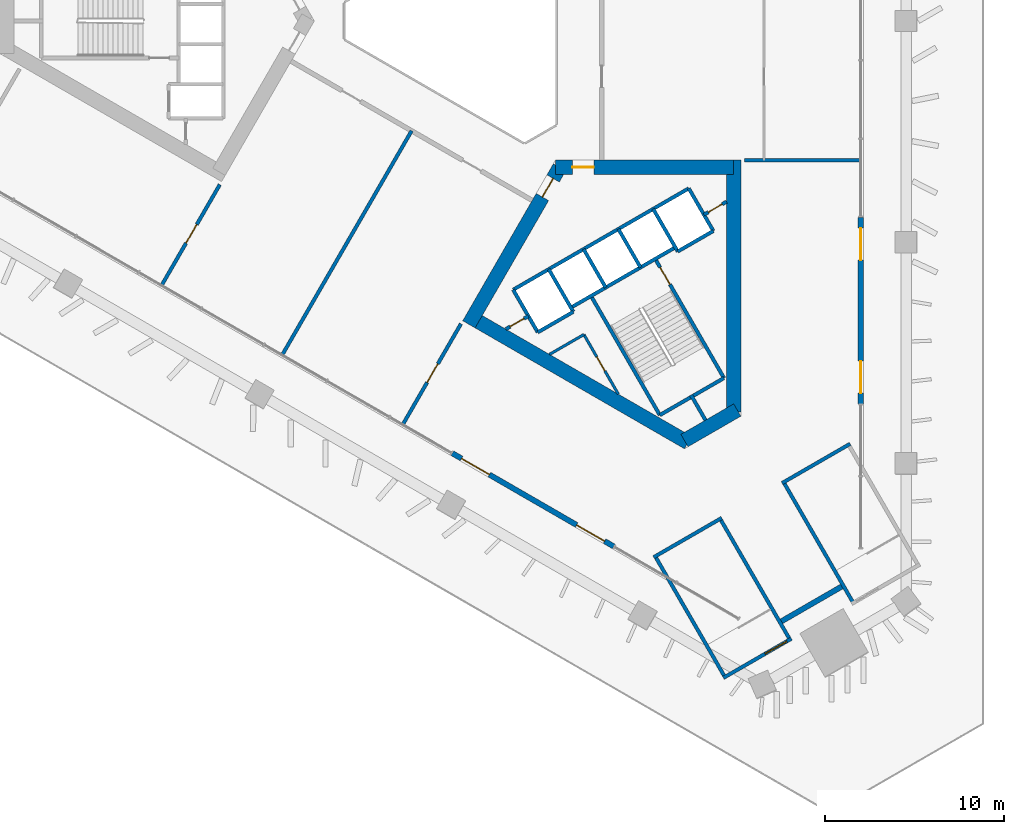
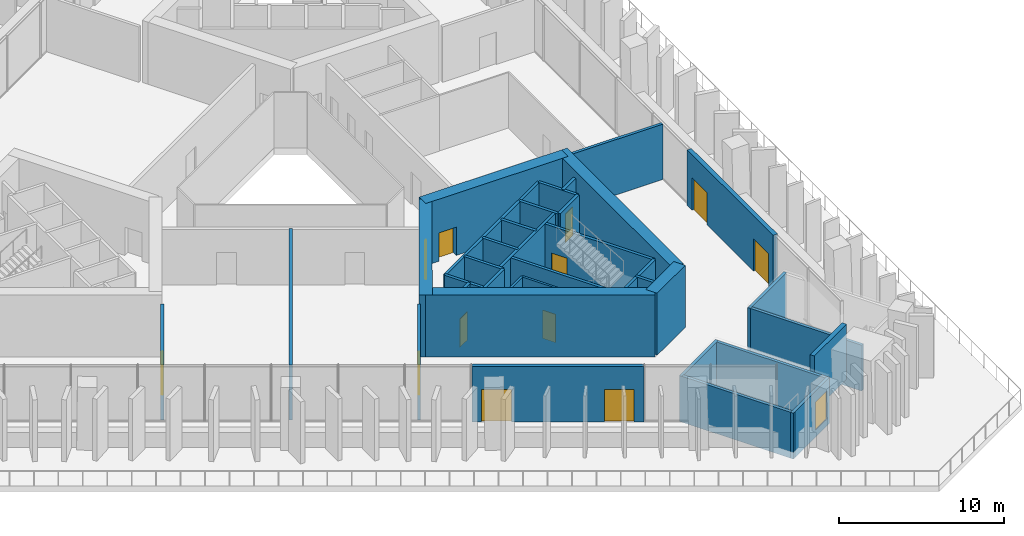
# One storey, part 16 of 31: 36 walls, 13 doors, 13 openings.
"""IFC4 building model written with IfcOpenShell, lengths in metres."""

from ifc_helpers import new_model, si_unit, direction, frame, frame_2d, origin, place, context, subcontext, project, spatial, rectangle, extrude, material, layer, layer_set, type_object, element, fill, save


model = new_model("IFC4")

# Units and contexts
model_context = context("Model", 3, precision=1e-05, world=origin(), true_north=direction((0.0, 1.0)))
body_context = subcontext(model_context, "Body", "Model", "MODEL_VIEW")
ifc_project = project(units=[si_unit("LENGTHUNIT", "METRE"), si_unit("AREAUNIT", "SQUARE_METRE"), si_unit("VOLUMEUNIT", "CUBIC_METRE"), si_unit("PLANEANGLEUNIT", "RADIAN"), si_unit("MASSUNIT", "GRAM", prefix="KILO")], contexts=[model_context])

# Site, building, storey
site_placement = place(None, origin())
site = spatial("IfcSite", under=ifc_project, at=site_placement, CompositionType="ELEMENT")
building_placement = place(site_placement, origin())
building = spatial("IfcBuilding", under=site, at=building_placement, Name="Jabali Bay Hotel Tower and Convention Centre", CompositionType="ELEMENT")
storey_placement = place(building_placement, frame((0.0, 0.0, 25.39990234375)))
storey = spatial("IfcBuildingStorey", under=building, at=storey_placement, Name="L04", CompositionType="ELEMENT", Elevation=25.39990234375)

# Wall
ifc_material_1 = material(Name="Concrete C40", Category="concrete")
ifc_layer_1 = layer(ifc_material_1, 0.199951171875)
ifc_layer_set_1 = layer_set([ifc_layer_1], Name="Concrete C40")
wall_type_1 = type_object("IfcWallType", Name="Core partition wall 200", PredefinedType="PARTITIONING", material=ifc_layer_set_1)
wall_1_placement = place(storey_placement, frame((87.090087890625, 59.0595703125, 0.0), z_axis=(0.0, 0.0, 1.0), x_axis=(0.499956811548, -0.866050337213, 0.0)))
element("IfcWall", 1, at=wall_1_placement, inside=storey, type_object=wall_type_1, Name="Core wall 2.5 L04", PredefinedType="PARTITIONING", context=body_context, shape_type="SweptSolid", body=[
    extrude(rectangle(XDim=1.623291015625, YDim=0.199951171875, at=frame_2d((0.8115234375, 0.0))), origin(), (0.0, 0.0, 1.0), 4.10009765625),
])

# Wall, opening, door
wall_2_placement = place(storey_placement, frame((76.719970703125, 62.748779296875, 0.0), z_axis=(0.0, 0.0, 1.0), x_axis=(0.866054810376, 0.49994906283, 0.0)))
wall_2 = element("IfcWall", 2, at=wall_2_placement, inside=storey, type_object=wall_type_1, Name="Core wall 2.11 L04", PredefinedType="PARTITIONING", context=body_context, shape_type="SweptSolid", body=[
    extrude(rectangle(XDim=1.461181640625, YDim=0.199951171875, at=frame_2d((0.73046875, 0.0))), origin(), (0.0, 0.0, 1.0), 4.10009765625),
])
opening_1_placement = place(wall_2_placement, frame((0.280517578125, 0.0, 0.0)))
opening_1 = element("IfcOpeningElement", 3, at=opening_1_placement, cuts=wall_2, Name="Opening D195", PredefinedType="OPENING", context=body_context, shape_type="SweptSolid", body=[
    extrude(rectangle(XDim=0.89990234375, YDim=2.10009765625, at=frame_2d((0.449951171875, 1.050048828125))), frame((0.0, 0.1103515625, 0.0), z_axis=(0.0, -1.0, 0.0), x_axis=(1.0, 0.0, 0.0)), (0.0, 0.0, 1.0), 0.220947265625),
])
ifc_material_2 = material(Name="Fire-rated steel door", Category="steel")
door_type_1 = type_object("IfcDoorType", Name="Vestibule fire door 900 x 2100", OperationType="NOTDEFINED", PredefinedType="NOTDEFINED", material=ifc_material_2)
door_1_placement = place(opening_1_placement, origin())
door_1 = element("IfcDoor", 4, at=door_1_placement, inside=storey, type_object=door_type_1, Name="Vestibule fire door D195", OperationType="SINGLE_SWING_LEFT", OverallHeight=2.10009765625, OverallWidth=0.89990234375, PredefinedType="NOTDEFINED", context=body_context, shape_type="SweptSolid", body=[
    extrude(rectangle(XDim=0.89990234375, YDim=2.10009765625, at=frame_2d((0.449951171875, 1.050048828125))), frame((0.0, 0.02490234375, 0.0), z_axis=(0.0, -1.0, 0.0), x_axis=(1.0, 0.0, 0.0)), (0.0, 0.0, 1.0), 0.050048828125),
])
fill(opening_1, door_1)

wall_3_placement = place(storey_placement, frame((87.814697265625, 69.154296875, 0.0), z_axis=(0.0, 0.0, 1.0), x_axis=(0.866054810376, 0.49994906283, 0.0)))
wall_3 = element("IfcWall", 5, at=wall_3_placement, inside=storey, type_object=wall_type_1, Name="Core wall 2.12 L04", PredefinedType="PARTITIONING", context=body_context, shape_type="SweptSolid", body=[
    extrude(rectangle(XDim=1.461181640625, YDim=0.199951171875, at=frame_2d((0.73046875, 0.0))), origin(), (0.0, 0.0, 1.0), 4.10009765625),
])
opening_2_placement = place(wall_3_placement, frame((0.280517578125, 0.0, 0.0)))
opening_2 = element("IfcOpeningElement", 6, at=opening_2_placement, cuts=wall_3, Name="Opening D194", PredefinedType="OPENING", context=body_context, shape_type="SweptSolid", body=[
    extrude(rectangle(XDim=0.89990234375, YDim=2.10009765625, at=frame_2d((0.449951171875, 1.050048828125))), frame((0.0, 0.1103515625, 0.0), z_axis=(0.0, -1.0, 0.0), x_axis=(1.0, 0.0, 0.0)), (0.0, 0.0, 1.0), 0.220947265625),
])
door_2_placement = place(opening_2_placement, origin())
door_2 = element("IfcDoor", 7, at=door_2_placement, inside=storey, type_object=door_type_1, Name="Vestibule fire door D194", OperationType="SINGLE_SWING_LEFT", OverallHeight=2.10009765625, OverallWidth=0.89990234375, PredefinedType="NOTDEFINED", context=body_context, shape_type="SweptSolid", body=[
    extrude(rectangle(XDim=0.89990234375, YDim=2.10009765625, at=frame_2d((0.449951171875, 1.050048828125))), frame((0.0, 0.02490234375, 0.0), z_axis=(0.0, -1.0, 0.0), x_axis=(1.0, 0.0, 0.0)), (0.0, 0.0, 1.0), 0.050048828125),
])
fill(opening_2, door_2)

ifc_material_3 = material(Name="Fire-rated board partition")
ifc_layer_2 = layer(ifc_material_3, 0.14990234375)
ifc_layer_set_2 = layer_set([ifc_layer_2], Name="Fire-rated board partition")
wall_type_2 = type_object("IfcWallType", Name="Core room partition 150", PredefinedType="PARTITIONING", material=ifc_layer_set_2)
wall_4_placement = place(storey_placement, frame((81.093994140625, 62.445068359375, 0.0), z_axis=(0.0, 0.0, 1.0), x_axis=(0.499987921047, -0.866032377459, 0.0)))
wall_4 = element("IfcWall", 8, at=wall_4_placement, inside=storey, type_object=wall_type_2, Name="Core wall 2.1 L04", PredefinedType="PARTITIONING", context=body_context, shape_type="SweptSolid", body=[
    extrude(rectangle(XDim=3.84765625, YDim=0.14990234375, at=frame_2d((1.923828125, 0.0))), origin(), (0.0, 0.0, 1.0), 4.10009765625),
])
opening_3_placement = place(wall_4_placement, frame((1.446533203125, 0.0, 0.0)))
opening_3 = element("IfcOpeningElement", 9, at=opening_3_placement, cuts=wall_4, Name="Opening D197", PredefinedType="OPENING", context=body_context, shape_type="SweptSolid", body=[
    extrude(rectangle(XDim=0.89990234375, YDim=2.10009765625, at=frame_2d((0.449951171875, 1.050048828125))), frame((0.0, 0.08544921875, 0.0), z_axis=(0.0, -1.0, 0.0), x_axis=(1.0, 0.0, 0.0)), (0.0, 0.0, 1.0), 0.1708984375),
])
door_type_2 = type_object("IfcDoorType", Name="Core room door 900 x 2100", OperationType="NOTDEFINED", PredefinedType="NOTDEFINED", material=ifc_material_2)
door_3_placement = place(opening_3_placement, origin())
door_3 = element("IfcDoor", 10, at=door_3_placement, inside=storey, type_object=door_type_2, Name="Core room door D197", OperationType="SINGLE_SWING_LEFT", OverallHeight=2.10009765625, OverallWidth=0.89990234375, PredefinedType="NOTDEFINED", context=body_context, shape_type="SweptSolid", body=[
    extrude(rectangle(XDim=0.89990234375, YDim=2.10009765625, at=frame_2d((0.449951171875, 1.050048828125))), frame((0.0, 0.02490234375, 0.0), z_axis=(0.0, -1.0, 0.0), x_axis=(1.0, 0.0, 0.0)), (0.0, 0.0, 1.0), 0.050048828125),
])
fill(opening_3, door_3)

# Walls
wall_5_placement = place(storey_placement, frame((79.169921875, 61.334228515625, 0.0), z_axis=(0.0, 0.0, 1.0), x_axis=(0.866030041738, 0.499991966744, 0.0)))
element("IfcWall", 11, at=wall_5_placement, inside=storey, type_object=wall_type_2, Name="Core wall 2.16 L04", PredefinedType="PARTITIONING", context=body_context, shape_type="SweptSolid", body=[
    extrude(rectangle(XDim=2.2216796875, YDim=0.14990234375, at=frame_2d((1.11083984375, 0.0))), origin(), (0.0, 0.0, 1.0), 4.10009765625),
])
ifc_layer_3 = layer(ifc_material_1, 0.199951171875)
ifc_layer_set_3 = layer_set([ifc_layer_3], Name="Concrete C40")
wall_type_3 = type_object("IfcWallType", Name="Core stair wall 200", PredefinedType="SOLIDWALL", material=ifc_layer_set_3)
for number, where, z_axis, x_axis, name in (
    (12, (77.13525390625, 64.95166015625, 0.0), (0.0, 0.0, 1.0), (0.499996545922, -0.866027397988, 0.0), "Core wall 2.0 L04"),
    (13, (79.127197265625, 66.1015625, 0.0), (0.0, 0.0, 1.0), (0.499996545922, -0.866027397988, 0.0), "Core wall 2.2 L04"),
):
    element("IfcWall", number, at=place(storey_placement, frame(where, z_axis=z_axis, x_axis=x_axis)), inside=storey, type_object=wall_type_3, Name=name, PredefinedType="SOLIDWALL", context=body_context, shape_type="SweptSolid", body=[
        extrude(rectangle(XDim=2.75, YDim=0.199951171875, at=frame_2d((1.375, 0.0))), origin(), (0.0, 0.0, 1.0), 4.10009765625),
    ])
wall_6_placement = place(storey_placement, frame((81.492919921875, 64.603759765625, 0.0), z_axis=(0.0, 0.0, 1.0), x_axis=(0.500006057782, -0.866021906294, 0.0)))
element("IfcWall", 14, at=wall_6_placement, inside=storey, type_object=wall_type_3, Name="Core wall 2.3 L04", PredefinedType="SOLIDWALL", context=body_context, shape_type="SweptSolid", body=[
    extrude(rectangle(XDim=7.7001953125, YDim=0.199951171875, at=frame_2d((3.85009765625, 0.0))), origin(), (0.0, 0.0, 1.0), 4.10009765625),
])
for number, where, z_axis, x_axis, name in (
    (15, (81.07568359375, 67.2265625, 0.0), (0.0, 0.0, 1.0), (0.50000366821, -0.866023285932, 0.0), "Core wall 2.4 L04"),
    (16, (83.024169921875, 68.3515625, 0.0), (0.0, 0.0, 1.0), (0.50000366821, -0.866023285932, 0.0), "Core wall 2.6 L04"),
):
    element("IfcWall", number, at=place(storey_placement, frame(where, z_axis=z_axis, x_axis=x_axis)), inside=storey, type_object=wall_type_3, Name=name, PredefinedType="SOLIDWALL", context=body_context, shape_type="SweptSolid", body=[
        extrude(rectangle(XDim=2.47998046875, YDim=0.199951171875, at=frame_2d((1.239990234375, 0.0))), origin(), (0.0, 0.0, 1.0), 4.10009765625),
    ])

# Wall, opening, door
wall_7_placement = place(storey_placement, frame((85.0869140625, 66.6787109375, 0.0), z_axis=(0.0, 0.0, 1.0), x_axis=(0.500019787375, -0.866013979237, 0.0)))
wall_7 = element("IfcWall", 17, at=wall_7_placement, inside=storey, type_object=wall_type_3, Name="Core wall 2.7 L04", PredefinedType="SOLIDWALL", context=body_context, shape_type="SweptSolid", body=[
    extrude(rectangle(XDim=7.699951171875, YDim=0.199951171875, at=frame_2d((3.85009765625, 0.0))), origin(), (0.0, 0.0, 1.0), 4.10009765625),
])
opening_4_placement = place(wall_7_placement, frame((0.550048828125, 0.0, 0.0)))
opening_4 = element("IfcOpeningElement", 18, at=opening_4_placement, cuts=wall_7, Name="Opening D196", PredefinedType="OPENING", context=body_context, shape_type="SweptSolid", body=[
    extrude(rectangle(XDim=1.10009765625, YDim=2.10009765625, at=frame_2d((0.550048828125, 1.050048828125))), frame((0.0, 0.1103515625, 0.0), z_axis=(0.0, -1.0, 0.0), x_axis=(1.0, 0.0, 0.0)), (0.0, 0.0, 1.0), 0.220947265625),
])
door_type_3 = type_object("IfcDoorType", Name="Stair fire door 1100 x 2100", OperationType="NOTDEFINED", PredefinedType="NOTDEFINED", material=ifc_material_2)
door_4_placement = place(opening_4_placement, origin())
door_4 = element("IfcDoor", 19, at=door_4_placement, inside=storey, type_object=door_type_3, Name="Stair fire door D196", OperationType="SINGLE_SWING_RIGHT", OverallHeight=2.10009765625, OverallWidth=1.10009765625, PredefinedType="NOTDEFINED", context=body_context, shape_type="SweptSolid", body=[
    extrude(rectangle(XDim=1.10009765625, YDim=2.10009765625, at=frame_2d((0.550048828125, 1.050048828125))), frame((0.0, 0.02490234375, 0.0), z_axis=(0.0, -1.0, 0.0), x_axis=(1.0, 0.0, 0.0)), (0.0, 0.0, 1.0), 0.050048828125),
])
fill(opening_4, door_4)

# Walls
for number, where, z_axis, x_axis, name in (
    (20, (84.972900390625, 69.4765625, 0.0), (0.0, 0.0, 1.0), (0.499996545922, -0.866027397988, 0.0), "Core wall 2.8 L04"),
    (21, (86.964599609375, 70.62646484375, 0.0), (0.0, 0.0, 1.0), (0.499996545922, -0.866027397988, 0.0), "Core wall 2.9 L04"),
):
    element("IfcWall", number, at=place(storey_placement, frame(where, z_axis=z_axis, x_axis=x_axis)), inside=storey, type_object=wall_type_3, Name=name, PredefinedType="SOLIDWALL", context=body_context, shape_type="SweptSolid", body=[
        extrude(rectangle(XDim=2.75, YDim=0.199951171875, at=frame_2d((1.375, 0.0))), origin(), (0.0, 0.0, 1.0), 4.10009765625),
    ])
wall_8_placement = place(storey_placement, frame((77.13525390625, 64.95166015625, 0.0), z_axis=(0.0, 0.0, 1.0), x_axis=(0.866031916153, 0.499988720078, 0.0)))
element("IfcWall", 22, at=wall_8_placement, inside=storey, type_object=wall_type_3, Name="Core wall 2.10 L04", PredefinedType="SOLIDWALL", context=body_context, shape_type="SweptSolid", body=[
    extrude(rectangle(XDim=11.349853515625, YDim=0.199951171875, at=frame_2d((5.6748046875, 0.0))), origin(), (0.0, 0.0, 1.0), 4.10009765625),
])
wall_9_placement = place(storey_placement, frame((80.3671875, 63.953857421875, 0.0), z_axis=(0.0, 0.0, 1.0), x_axis=(0.866026575979, 0.499997969693, 0.0)))
element("IfcWall", 23, at=wall_9_placement, inside=storey, type_object=wall_type_3, Name="Core wall 2.13 L04", PredefinedType="SOLIDWALL", context=body_context, shape_type="SweptSolid", body=[
    extrude(rectangle(XDim=6.75, YDim=0.199951171875, at=frame_2d((3.375, 0.0))), origin(), (0.0, 0.0, 1.0), 4.10009765625),
])
wall_10_placement = place(storey_placement, frame((78.51025390625, 62.570068359375, 0.0), z_axis=(0.0, 0.0, 1.0), x_axis=(0.866053019151, 0.499952165731, 0.0)))
element("IfcWall", 24, at=wall_10_placement, inside=storey, type_object=wall_type_3, Name="Core wall 2.14 L04", PredefinedType="SOLIDWALL", context=body_context, shape_type="SweptSolid", body=[
    extrude(rectangle(XDim=2.300048828125, YDim=0.199951171875, at=frame_2d((1.14990234375, 0.0))), origin(), (0.0, 0.0, 1.0), 4.10009765625),
])
wall_11_placement = place(storey_placement, frame((86.347900390625, 67.094970703125, 0.0), z_axis=(0.0, 0.0, 1.0), x_axis=(0.86602648383, 0.499998129301, 0.0)))
element("IfcWall", 25, at=wall_11_placement, inside=storey, type_object=wall_type_3, Name="Core wall 2.15 L04", PredefinedType="SOLIDWALL", context=body_context, shape_type="SweptSolid", body=[
    extrude(rectangle(XDim=2.2998046875, YDim=0.199951171875, at=frame_2d((1.14990234375, 0.0))), origin(), (0.0, 0.0, 1.0), 4.10009765625),
])
wall_12_placement = place(storey_placement, frame((85.343017578125, 57.935302734375, 0.0), z_axis=(0.0, 0.0, 1.0), x_axis=(0.866004344652, 0.500036473714, 0.0)))
element("IfcWall", 26, at=wall_12_placement, inside=storey, type_object=wall_type_3, Name="Core wall 2.17 L04", PredefinedType="SOLIDWALL", context=body_context, shape_type="SweptSolid", body=[
    extrude(rectangle(XDim=4.150146484375, YDim=0.199951171875, at=frame_2d((2.0751953125, 0.0))), origin(), (0.0, 0.0, 1.0), 4.10009765625),
])

# Wall, opening, door
ifc_material_4 = material(Name="Concrete C60", Category="concrete")
ifc_layer_4 = layer(ifc_material_4, 0.800048828125)
ifc_layer_set_4 = layer_set([ifc_layer_4], Name="Concrete C60")
wall_type_4 = type_object("IfcWallType", Name="Core wall 800", PredefinedType="SHEAR", material=ifc_layer_set_4)
wall_13_placement = place(storey_placement, frame((79.73095703125, 71.8056640625, 0.0), z_axis=(0.0, 0.0, 1.0), x_axis=(-0.49999662545, -0.866027352073, 0.0)))
wall_13 = element("IfcWall", 27, at=wall_13_placement, inside=storey, type_object=wall_type_4, Name="Core wall 3.1 L04", PredefinedType="SHEAR", context=body_context, shape_type="SweptSolid", body=[
    extrude(rectangle(XDim=10.14892578125, YDim=0.800048828125, at=frame_2d((5.074462890625, 0.0))), origin(), (0.0, 0.0, 1.0), 4.60009765625),
])
opening_5_placement = place(wall_13_placement, frame((0.718994140625, 0.0, 0.0)))
opening_5 = element("IfcOpeningElement", 28, at=opening_5_placement, cuts=wall_13, Name="Opening D192", PredefinedType="OPENING", context=body_context, shape_type="SweptSolid", body=[
    extrude(rectangle(XDim=1.199951171875, YDim=2.10009765625, at=frame_2d((0.60009765625, 1.050048828125))), frame((0.0, 0.41064453125, 0.0), z_axis=(0.0, -1.0, 0.0), x_axis=(1.0, 0.0, 0.0)), (0.0, 0.0, 1.0), 0.821044921875),
])
door_type_4 = type_object("IfcDoorType", Name="Corridor end fire door 1200 x 2100", OperationType="NOTDEFINED", PredefinedType="NOTDEFINED", material=ifc_material_2)
door_5_placement = place(opening_5_placement, origin())
door_5 = element("IfcDoor", 29, at=door_5_placement, inside=storey, type_object=door_type_4, Name="Corridor end fire door D192", OperationType="SINGLE_SWING_RIGHT", OverallHeight=2.10009765625, OverallWidth=1.199951171875, PredefinedType="NOTDEFINED", context=body_context, shape_type="SweptSolid", body=[
    extrude(rectangle(XDim=1.199951171875, YDim=2.10009765625, at=frame_2d((0.60009765625, 1.050048828125))), frame((0.0, 0.02490234375, 0.0), z_axis=(0.0, -1.0, 0.0), x_axis=(1.0, 0.0, 0.0)), (0.0, 0.0, 1.0), 0.050048828125),
])
fill(opening_5, door_5)

# Walls
wall_14_placement = place(storey_placement, frame((74.8564453125, 63.36279296875, 0.0), z_axis=(0.0, 0.0, 1.0), x_axis=(0.866029478545, -0.499992942241, 0.0)))
element("IfcWall", 30, at=wall_14_placement, inside=storey, type_object=wall_type_4, Name="Core wall 3.2 L04", PredefinedType="SHEAR", context=body_context, shape_type="SweptSolid", body=[
    extrude(rectangle(XDim=13.933349609375, YDim=0.800048828125, at=frame_2d((6.966796875, 0.0))), origin(), (0.0, 0.0, 1.0), 4.60009765625),
])
wall_15_placement = place(storey_placement, frame((86.72314453125, 56.51171875, 0.0), z_axis=(0.0, 0.0, 1.0), x_axis=(0.866034355626, 0.499984494636, 0.0)))
element("IfcWall", 31, at=wall_15_placement, inside=storey, type_object=wall_type_4, Name="Core wall 3.3 L04", PredefinedType="SHEAR", context=body_context, shape_type="SweptSolid", body=[
    extrude(rectangle(XDim=3.4140625, YDim=0.800048828125, at=frame_2d((1.70703125, 0.0))), origin(), (0.0, 0.0, 1.0), 4.60009765625),
])
wall_16_placement = place(storey_placement, frame((89.47998046875, 58.103271484375, 0.0), z_axis=(0.0, 0.0, 1.0), x_axis=(0.0, 1.0, 0.0)))
element("IfcWall", 32, at=wall_16_placement, inside=storey, type_object=wall_type_4, Name="Core wall 3.4 L04", PredefinedType="SHEAR", context=body_context, shape_type="SweptSolid", body=[
    extrude(rectangle(XDim=14.1025390625, YDim=0.800048828125, at=frame_2d((7.05126953125, 0.0))), origin(), (0.0, 0.0, 1.0), 4.60009765625),
])

# Wall, opening, door
wall_17_placement = place(storey_placement, frame((89.47998046875, 71.8056640625, 0.0), z_axis=(0.0, 0.0, 1.0), x_axis=(-1.0, 0.0, 0.0)))
wall_17 = element("IfcWall", 33, at=wall_17_placement, inside=storey, type_object=wall_type_4, Name="Core wall 3.5 L04", PredefinedType="SHEAR", context=body_context, shape_type="SweptSolid", body=[
    extrude(rectangle(XDim=9.97998046875, YDim=0.800048828125, at=frame_2d((4.989990234375, 0.0))), origin(), (0.0, 0.0, 1.0), 4.60009765625),
])
opening_6_placement = place(wall_17_placement, frame((7.830078125, 0.0, 0.0)))
opening_6 = element("IfcOpeningElement", 34, at=opening_6_placement, cuts=wall_17, Name="Opening D193", PredefinedType="OPENING", context=body_context, shape_type="SweptSolid", body=[
    extrude(rectangle(XDim=1.199951171875, YDim=2.10009765625, at=frame_2d((0.60009765625, 1.050048828125))), frame((0.0, 0.41064453125, 0.0), z_axis=(0.0, -1.0, 0.0), x_axis=(1.0, 0.0, 0.0)), (0.0, 0.0, 1.0), 0.821044921875),
])
door_6_placement = place(opening_6_placement, origin())
door_6 = element("IfcDoor", 35, at=door_6_placement, inside=storey, type_object=door_type_4, Name="Corridor end fire door D193", OperationType="SINGLE_SWING_LEFT", OverallHeight=2.10009765625, OverallWidth=1.199951171875, PredefinedType="NOTDEFINED", context=body_context, shape_type="SweptSolid", body=[
    extrude(rectangle(XDim=1.199951171875, YDim=2.10009765625, at=frame_2d((0.60009765625, 1.050048828125))), frame((0.0, 0.02490234375, 0.0), z_axis=(0.0, -1.0, 0.0), x_axis=(1.0, 0.0, 0.0)), (0.0, 0.0, 1.0), 0.050048828125),
])
fill(opening_6, door_6)

# Wall, openings, doors
ifc_layer_5 = layer(ifc_material_1, 0.300048828125)
ifc_layer_set_5 = layer_set([ifc_layer_5], Name="Concrete C40")
wall_type_5 = type_object("IfcWallType", Name="External wall 300", PredefinedType="SOLIDWALL", material=ifc_layer_set_5)
wall_18_placement = place(storey_placement, frame((96.5927734375, 69.0078125, 0.0), z_axis=(0.0, 0.0, 1.0), x_axis=(0.0, -1.0, 0.0)))
wall_18 = element("IfcWall", 36, at=wall_18_placement, inside=storey, type_object=wall_type_5, Name="External wall east face L04", PredefinedType="SOLIDWALL", context=body_context, shape_type="SweptSolid", body=[
    extrude(rectangle(XDim=10.444580078125, YDim=0.300048828125, at=frame_2d((5.22216796875, 0.0))), origin(), (0.0, 0.0, 1.0), 4.10009765625),
])
opening_7_placement = place(wall_18_placement, frame((8.044677734375, 0.0, 0.0)))
opening_7 = element("IfcOpeningElement", 37, at=opening_7_placement, cuts=wall_18, Name="Opening ED1", PredefinedType="OPENING", context=body_context, shape_type="SweptSolid", body=[
    extrude(rectangle(XDim=1.800048828125, YDim=2.39990234375, at=frame_2d((0.89990234375, 1.199951171875))), frame((0.0, 0.16064453125, 0.0), z_axis=(0.0, -1.0, 0.0), x_axis=(1.0, 0.0, 0.0)), (0.0, 0.0, 1.0), 0.321044921875),
])
opening_8_placement = place(wall_18_placement, frame((0.60009765625, 0.0, 0.0)))
opening_8 = element("IfcOpeningElement", 38, at=opening_8_placement, cuts=wall_18, Name="Opening ED1", PredefinedType="OPENING", context=body_context, shape_type="SweptSolid", body=[
    extrude(rectangle(XDim=1.800048828125, YDim=2.39990234375, at=frame_2d((0.89990234375, 1.199951171875))), frame((0.0, 0.16064453125, 0.0), z_axis=(0.0, -1.0, 0.0), x_axis=(1.0, 0.0, 0.0)), (0.0, 0.0, 1.0), 0.321044921875),
])
ifc_material_5 = material(Name="Glass", Category="glass")
door_type_5 = type_object("IfcDoorType", Name="Terrace door 1800 x 2400", OperationType="NOTDEFINED", PredefinedType="NOTDEFINED", material=ifc_material_5)
door_7_placement = place(opening_7_placement, origin())
door_7 = element("IfcDoor", 39, at=door_7_placement, inside=storey, type_object=door_type_5, Name="Terrace door", OperationType="DOUBLE_DOOR_SINGLE_SWING", OverallHeight=2.39990234375, OverallWidth=1.800048828125, PredefinedType="NOTDEFINED", context=body_context, shape_type="SweptSolid", body=[
    extrude(rectangle(XDim=1.800048828125, YDim=2.39990234375, at=frame_2d((0.89990234375, 1.199951171875))), frame((0.0, 0.02490234375, 0.0), z_axis=(0.0, -1.0, 0.0), x_axis=(1.0, 0.0, 0.0)), (0.0, 0.0, 1.0), 0.050048828125),
])
fill(opening_7, door_7)
door_8_placement = place(opening_8_placement, origin())
door_8 = element("IfcDoor", 40, at=door_8_placement, inside=storey, type_object=door_type_5, Name="Terrace door", OperationType="DOUBLE_DOOR_SINGLE_SWING", OverallHeight=2.39990234375, OverallWidth=1.800048828125, PredefinedType="NOTDEFINED", context=body_context, shape_type="SweptSolid", body=[
    extrude(rectangle(XDim=1.800048828125, YDim=2.39990234375, at=frame_2d((0.89990234375, 1.199951171875))), frame((0.0, 0.02490234375, 0.0), z_axis=(0.0, -1.0, 0.0), x_axis=(1.0, 0.0, 0.0)), (0.0, 0.0, 1.0), 0.050048828125),
])
fill(opening_8, door_8)

wall_19_placement = place(storey_placement, frame((82.768310546875, 50.58154296875, 0.0), z_axis=(0.0, 0.0, 1.0), x_axis=(-0.866023657563, 0.500003024532, 0.0)))
wall_19 = element("IfcWall", 41, at=wall_19_placement, inside=storey, type_object=wall_type_5, Name="External wall south-west face L04", PredefinedType="SOLIDWALL", context=body_context, shape_type="SweptSolid", body=[
    extrude(rectangle(XDim=10.44482421875, YDim=0.300048828125, at=frame_2d((5.222412109375, 0.0))), origin(), (0.0, 0.0, 1.0), 4.10009765625),
])
opening_9_placement = place(wall_19_placement, frame((8.044677734375, 0.0, 0.0)))
opening_9 = element("IfcOpeningElement", 42, at=opening_9_placement, cuts=wall_19, Name="Opening ED1", PredefinedType="OPENING", context=body_context, shape_type="SweptSolid", body=[
    extrude(rectangle(XDim=1.800048828125, YDim=2.39990234375, at=frame_2d((0.89990234375, 1.199951171875))), frame((0.0, 0.16064453125, 0.0), z_axis=(0.0, -1.0, 0.0), x_axis=(1.0, 0.0, 0.0)), (0.0, 0.0, 1.0), 0.321044921875),
])
opening_10_placement = place(wall_19_placement, frame((0.60009765625, 0.0, 0.0)))
opening_10 = element("IfcOpeningElement", 43, at=opening_10_placement, cuts=wall_19, Name="Opening ED1", PredefinedType="OPENING", context=body_context, shape_type="SweptSolid", body=[
    extrude(rectangle(XDim=1.800048828125, YDim=2.39990234375, at=frame_2d((0.89990234375, 1.199951171875))), frame((0.0, 0.16064453125, 0.0), z_axis=(0.0, -1.0, 0.0), x_axis=(1.0, 0.0, 0.0)), (0.0, 0.0, 1.0), 0.321044921875),
])
door_9_placement = place(opening_9_placement, origin())
door_9 = element("IfcDoor", 44, at=door_9_placement, inside=storey, type_object=door_type_5, Name="Terrace door", OperationType="DOUBLE_DOOR_SINGLE_SWING", OverallHeight=2.39990234375, OverallWidth=1.800048828125, PredefinedType="NOTDEFINED", context=body_context, shape_type="SweptSolid", body=[
    extrude(rectangle(XDim=1.800048828125, YDim=2.39990234375, at=frame_2d((0.89990234375, 1.199951171875))), frame((0.0, 0.02490234375, 0.0), z_axis=(0.0, -1.0, 0.0), x_axis=(1.0, 0.0, 0.0)), (0.0, 0.0, 1.0), 0.050048828125),
])
fill(opening_9, door_9)
door_10_placement = place(opening_10_placement, origin())
door_10 = element("IfcDoor", 45, at=door_10_placement, inside=storey, type_object=door_type_5, Name="Terrace door", OperationType="DOUBLE_DOOR_SINGLE_SWING", OverallHeight=2.39990234375, OverallWidth=1.800048828125, PredefinedType="NOTDEFINED", context=body_context, shape_type="SweptSolid", body=[
    extrude(rectangle(XDim=1.800048828125, YDim=2.39990234375, at=frame_2d((0.89990234375, 1.199951171875))), frame((0.0, 0.02490234375, 0.0), z_axis=(0.0, -1.0, 0.0), x_axis=(1.0, 0.0, 0.0)), (0.0, 0.0, 1.0), 0.050048828125),
])
fill(opening_10, door_10)

# Walls
wall_20_placement = place(storey_placement, frame((95.5302734375, 48.340576171875, 0.0), z_axis=(0.0, 0.0, 1.0), x_axis=(-0.866042777325, -0.499969906938, 0.0)))
element("IfcWall", 46, at=wall_20_placement, inside=storey, type_object=wall_type_5, Name="External wall south-east chamfer L04", PredefinedType="SOLIDWALL", context=body_context, shape_type="SweptSolid", body=[
    extrude(rectangle(XDim=3.900146484375, YDim=0.300048828125, at=frame_2d((1.9501953125, 0.0))), origin(), (0.0, 0.0, 1.0), 4.10009765625),
])
ifc_material_6 = material(Name="Plasterboard on steel stud", Category="steel")
ifc_layer_6 = layer(ifc_material_6, 0.199951171875)
ifc_layer_set_6 = layer_set([ifc_layer_6], Name="Plasterboard on steel stud")
wall_type_6 = type_object("IfcWallType", Name="Partition 200 party", PredefinedType="PARTITIONING", material=ifc_layer_set_6)
wall_21_placement = place(storey_placement, frame((90.0791015625, 72.205810546875, 0.0), z_axis=(0.0, 0.0, 1.0), x_axis=(1.0, 0.0, 0.0)))
element("IfcWall", 47, at=wall_21_placement, inside=storey, type_object=wall_type_6, Name="Partition P01 L04 006", PredefinedType="PARTITIONING", context=body_context, shape_type="SweptSolid", body=[
    extrude(rectangle(XDim=6.457763671875, YDim=0.199951171875, at=frame_2d((3.22900390625, 0.0))), origin(), (0.0, 0.0, 1.0), 4.10009765625),
])
wall_22_placement = place(storey_placement, frame((64.2314453125, 61.3486328125, 0.0), z_axis=(0.0, 0.0, 1.0), x_axis=(0.500003999814, 0.866023094479, 0.0)))
element("IfcWall", 48, at=wall_22_placement, inside=storey, type_object=wall_type_6, Name="Partition P01 L04 011", PredefinedType="PARTITIONING", context=body_context, shape_type="SweptSolid", body=[
    extrude(rectangle(XDim=14.43701171875, YDim=0.199951171875, at=frame_2d((7.218505859375, 0.0))), origin(), (0.0, 0.0, 1.0), 4.10009765625),
])

# Wall, opening, door
wall_23_placement = place(storey_placement, frame((60.71044921875, 70.83837890625, 0.0), z_axis=(0.0, 0.0, 1.0), x_axis=(-0.500001702147, -0.866024421047, 0.0)))
wall_23 = element("IfcWall", 49, at=wall_23_placement, inside=storey, type_object=wall_type_6, Name="Partition P01 L04 012", PredefinedType="PARTITIONING", context=body_context, shape_type="SweptSolid", body=[
    extrude(rectangle(XDim=6.4580078125, YDim=0.199951171875, at=frame_2d((3.22900390625, 0.0))), origin(), (0.0, 0.0, 1.0), 4.10009765625),
])
opening_11_placement = place(wall_23_placement, frame((2.58203125, 0.0, 0.0)))
opening_11 = element("IfcOpeningElement", 50, at=opening_11_placement, cuts=wall_23, Name="Opening 0409", PredefinedType="OPENING", context=body_context, shape_type="SweptSolid", body=[
    extrude(rectangle(XDim=1.199951171875, YDim=2.39990234375, at=frame_2d((0.60009765625, 1.199951171875))), frame((0.0, 0.1103515625, 0.0), z_axis=(0.0, -1.0, 0.0), x_axis=(1.0, 0.0, 0.0)), (0.0, 0.0, 1.0), 0.220947265625),
])
ifc_material_7 = material(Name="Timber", Category="wood")
door_type_6 = type_object("IfcDoorType", Name="Public room door 1200 x 2400", OperationType="NOTDEFINED", PredefinedType="NOTDEFINED", material=ifc_material_7)
door_11_placement = place(opening_11_placement, origin())
door_11 = element("IfcDoor", 51, at=door_11_placement, inside=storey, type_object=door_type_6, Name="Door 0409", OperationType="SINGLE_SWING_LEFT", OverallHeight=2.39990234375, OverallWidth=1.199951171875, PredefinedType="NOTDEFINED", context=body_context, shape_type="SweptSolid", body=[
    extrude(rectangle(XDim=1.199951171875, YDim=2.39990234375, at=frame_2d((0.60009765625, 1.199951171875))), frame((0.0, 0.02490234375, 0.0), z_axis=(0.0, -1.0, 0.0), x_axis=(1.0, 0.0, 0.0)), (0.0, 0.0, 1.0), 0.050048828125),
])
fill(opening_11, door_11)

wall_24_placement = place(storey_placement, frame((70.9814453125, 57.451416015625, 0.0), z_axis=(0.0, 0.0, 1.0), x_axis=(0.500001702147, 0.866024421047, 0.0)))
wall_24 = element("IfcWall", 52, at=wall_24_placement, inside=storey, type_object=wall_type_6, Name="Partition P01 L04 013", PredefinedType="PARTITIONING", context=body_context, shape_type="SweptSolid", body=[
    extrude(rectangle(XDim=6.4580078125, YDim=0.199951171875, at=frame_2d((3.22900390625, 0.0))), origin(), (0.0, 0.0, 1.0), 4.10009765625),
])
opening_12_placement = place(wall_24_placement, frame((2.675048828125, 0.0, 0.0)))
opening_12 = element("IfcOpeningElement", 53, at=opening_12_placement, cuts=wall_24, Name="Opening 0412", PredefinedType="OPENING", context=body_context, shape_type="SweptSolid", body=[
    extrude(rectangle(XDim=1.199951171875, YDim=2.39990234375, at=frame_2d((0.60009765625, 1.199951171875))), frame((0.0, 0.1103515625, 0.0), z_axis=(0.0, -1.0, 0.0), x_axis=(1.0, 0.0, 0.0)), (0.0, 0.0, 1.0), 0.220947265625),
])
door_12_placement = place(opening_12_placement, origin())
door_12 = element("IfcDoor", 54, at=door_12_placement, inside=storey, type_object=door_type_6, Name="Door 0412", OperationType="SINGLE_SWING_LEFT", OverallHeight=2.39990234375, OverallWidth=1.199951171875, PredefinedType="NOTDEFINED", context=body_context, shape_type="SweptSolid", body=[
    extrude(rectangle(XDim=1.199951171875, YDim=2.39990234375, at=frame_2d((0.60009765625, 1.199951171875))), frame((0.0, 0.02490234375, 0.0), z_axis=(0.0, -1.0, 0.0), x_axis=(1.0, 0.0, 0.0)), (0.0, 0.0, 1.0), 0.050048828125),
])
fill(opening_12, door_12)

# Walls
ifc_layer_7 = layer(ifc_material_1, 0.199951171875)
ifc_layer_set_7 = layer_set([ifc_layer_7], Name="Concrete C40")
wall_type_7 = type_object("IfcWallType", Name="Podium stair enclosure wall 200", PredefinedType="SOLIDWALL", material=ifc_layer_set_7)
wall_25_placement = place(storey_placement, frame((95.999267578125, 56.328125, -0.5), z_axis=(0.0, 0.0, 1.0), x_axis=(-0.866032203192, -0.499988222896, 0.0)))
element("IfcWall", 55, at=wall_25_placement, inside=storey, type_object=wall_type_7, Name="Podium stair wall 5.3 L04", PredefinedType="SOLIDWALL", context=body_context, shape_type="SweptSolid", body=[
    extrude(rectangle(XDim=4.39990234375, YDim=0.199951171875, at=frame_2d((2.199951171875, 0.0))), origin(), (0.0, 0.0, 1.0), 3.400146484375),
])
wall_26_placement = place(storey_placement, frame((92.225341796875, 54.264892578125, -0.5), z_axis=(0.0, 0.0, 1.0), x_axis=(0.49999894854, -0.866026010844, 0.0)))
element("IfcWall", 56, at=wall_26_placement, inside=storey, type_object=wall_type_7, Name="Podium stair wall 5.4 L04", PredefinedType="SOLIDWALL", context=body_context, shape_type="SweptSolid", body=[
    extrude(rectangle(XDim=8.0, YDim=0.199951171875, at=frame_2d((4.0, 0.0))), origin(), (0.0, 0.0, 1.0), 3.400146484375),
])

# Wall, opening, door
wall_27_placement = place(storey_placement, frame((88.900634765625, 43.22314453125, -0.5), z_axis=(0.0, 0.0, 1.0), x_axis=(0.866032203192, 0.499988222896, 0.0)))
wall_27 = element("IfcWall", 57, at=wall_27_placement, inside=storey, type_object=wall_type_7, Name="Podium stair wall 6.1 L04", PredefinedType="SOLIDWALL", context=body_context, shape_type="SweptSolid", body=[
    extrude(rectangle(XDim=4.39990234375, YDim=0.199951171875, at=frame_2d((2.199951171875, 0.0))), origin(), (0.0, 0.0, 1.0), 3.400146484375),
])
opening_13_placement = place(wall_27_placement, frame((2.699951171875, 0.0, 0.5)))
opening_13 = element("IfcOpeningElement", 58, at=opening_13_placement, cuts=wall_27, Name="Opening D1765", PredefinedType="OPENING", context=body_context, shape_type="SweptSolid", body=[
    extrude(rectangle(XDim=1.39990234375, YDim=2.10009765625, at=frame_2d((0.699951171875, 1.050048828125))), frame((0.0, 0.1103515625, 0.0), z_axis=(0.0, -1.0, 0.0), x_axis=(1.0, 0.0, 0.0)), (0.0, 0.0, 1.0), 0.220947265625),
])
door_type_7 = type_object("IfcDoorType", Name="Podium stair fire door 1400 x 2100", OperationType="NOTDEFINED", PredefinedType="NOTDEFINED", material=ifc_material_2)
door_13_placement = place(opening_13_placement, origin())
door_13 = element("IfcDoor", 59, at=door_13_placement, inside=storey, type_object=door_type_7, Name="Podium stair fire door D1765", OperationType="SINGLE_SWING_RIGHT", OverallHeight=2.10009765625, OverallWidth=1.39990234375, PredefinedType="NOTDEFINED", context=body_context, shape_type="SweptSolid", body=[
    extrude(rectangle(XDim=1.39990234375, YDim=2.10009765625, at=frame_2d((0.699951171875, 1.050048828125))), frame((0.0, 0.02490234375, 0.0), z_axis=(0.0, -1.0, 0.0), x_axis=(1.0, 0.0, 0.0)), (0.0, 0.0, 1.0), 0.050048828125),
])
fill(opening_13, door_13)

# Walls
wall_28_placement = place(storey_placement, frame((92.674560546875, 45.28662109375, -0.5), z_axis=(0.0, 0.0, 1.0), x_axis=(-0.49999894854, 0.866026010844, 0.0)))
element("IfcWall", 60, at=wall_28_placement, inside=storey, type_object=wall_type_7, Name="Podium stair wall 6.2 L04", PredefinedType="SOLIDWALL", context=body_context, shape_type="SweptSolid", body=[
    extrude(rectangle(XDim=8.0, YDim=0.199951171875, at=frame_2d((4.0, 0.0))), origin(), (0.0, 0.0, 1.0), 3.400146484375),
])
wall_29_placement = place(storey_placement, frame((88.811279296875, 52.17822265625, -0.5), z_axis=(0.0, 0.0, 1.0), x_axis=(-0.866032203192, -0.499988222896, 0.0)))
element("IfcWall", 61, at=wall_29_placement, inside=storey, type_object=wall_type_7, Name="Podium stair wall 6.3 L04", PredefinedType="SOLIDWALL", context=body_context, shape_type="SweptSolid", body=[
    extrude(rectangle(XDim=4.39990234375, YDim=0.199951171875, at=frame_2d((2.199951171875, 0.0))), origin(), (0.0, 0.0, 1.0), 3.400146484375),
])
wall_30_placement = place(storey_placement, frame((85.037353515625, 50.11474609375, -0.5), z_axis=(0.0, 0.0, 1.0), x_axis=(0.49999894854, -0.866026010844, 0.0)))
element("IfcWall", 62, at=wall_30_placement, inside=storey, type_object=wall_type_7, Name="Podium stair wall 6.4 L04", PredefinedType="SOLIDWALL", context=body_context, shape_type="SweptSolid", body=[
    extrude(rectangle(XDim=8.0, YDim=0.199951171875, at=frame_2d((4.0, 0.0))), origin(), (0.0, 0.0, 1.0), 3.400146484375),
])

save(model, "model.ifc")
